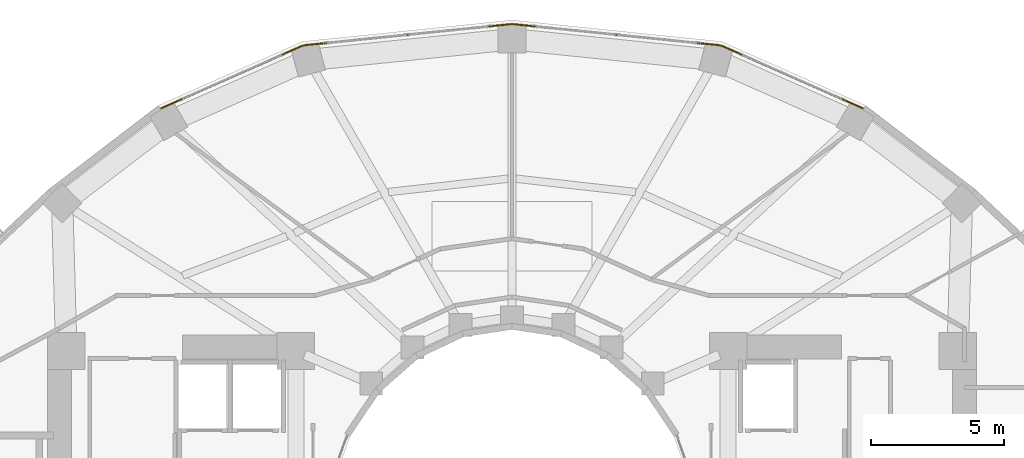
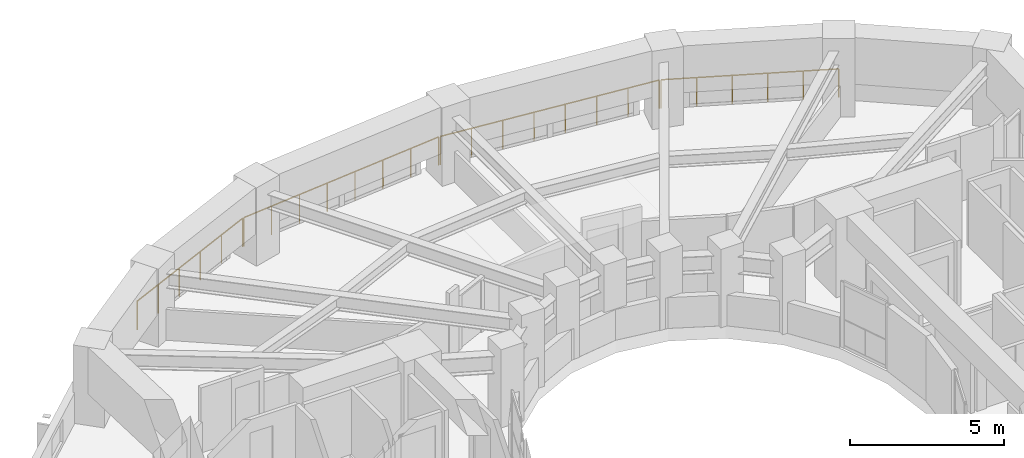
# One storey, part 19 of 19: 4 railings.
"""IFC4 building model written with IfcOpenShell, lengths in metres."""

from ifc_helpers import new_model, si_unit, direction, frame, origin, origin_2d, place, context, subcontext, project, spatial, circle, extrude, material, type_object, element, save


model = new_model("IFC4")

# Units and contexts
model_context = context("Model", 3, precision=1e-05, world=origin(), true_north=direction((0.0, 1.0)))
body_context = subcontext(model_context, "Body", "Model", "MODEL_VIEW")
ifc_project = project(units=[si_unit("LENGTHUNIT", "METRE"), si_unit("AREAUNIT", "SQUARE_METRE"), si_unit("VOLUMEUNIT", "CUBIC_METRE"), si_unit("PLANEANGLEUNIT", "RADIAN"), si_unit("MASSUNIT", "GRAM", prefix="KILO")], contexts=[model_context])

# Site, building, storey
site_placement = place(None, origin())
site = spatial("IfcSite", under=ifc_project, at=site_placement, CompositionType="ELEMENT")
building_placement = place(site_placement, origin())
building = spatial("IfcBuilding", under=site, at=building_placement, Name="Solvane Sanctuary Tower", CompositionType="ELEMENT")
storey_placement = place(building_placement, frame((0.0, 0.0, 73.199951171875)))
storey = spatial("IfcBuildingStorey", under=building, at=storey_placement, Name="L21", CompositionType="ELEMENT", Elevation=73.199951171875)

# Railings
ifc_material = material(Name="Architectural Stainless Steel 316", Category="steel")
railing_type = type_object("IfcRailingType", Name="Railing GR-BALC-1150", PredefinedType="BALUSTRADE", material=ifc_material)
railing_1_placement = place(storey_placement, frame((45.14599609375, 39.2900390625, 0.0)))
element("IfcRailing", 1, at=railing_1_placement, inside=storey, type_object=railing_type, Name="L21 Curtain-Wall Perimeter Sill Guard 04", PredefinedType="BALUSTRADE", context=body_context, shape_type="SweptSolid", body=[
    extrude(circle(Radius=0.02392578125, at=origin_2d()), frame((0.0, 0.0, 1.1259765625), z_axis=(-0.91433335621, 0.40496236087, 0.0), x_axis=(-0.40496236087, -0.91433335621, 0.0)), (0.0, 0.0, 1.0), 5.799072265625),
    extrude(circle(Radius=0.02099609375, at=origin_2d()), origin(), (0.0, 0.0, 1.0), 1.101806640625),
    extrude(circle(Radius=0.02099609375, at=origin_2d()), frame((-1.060546875, 0.4697265625, 0.0)), (0.0, 0.0, 1.0), 1.101806640625),
    extrude(circle(Radius=0.02099609375, at=origin_2d()), frame((-2.120849609375, 0.939453125, 0.0)), (0.0, 0.0, 1.0), 1.101806640625),
    extrude(circle(Radius=0.02099609375, at=origin_2d()), frame((-3.181396484375, 1.408935546875, 0.0)), (0.0, 0.0, 1.0), 1.101806640625),
    extrude(circle(Radius=0.02099609375, at=origin_2d()), frame((-4.24169921875, 1.878662109375, 0.0)), (0.0, 0.0, 1.0), 1.101806640625),
    extrude(circle(Radius=0.02099609375, at=origin_2d()), frame((-5.30224609375, 2.348388671875, 0.0)), (0.0, 0.0, 1.0), 1.101806640625),
])
railing_2_placement = place(storey_placement, frame((39.78662109375, 41.653564453125, 0.0)))
element("IfcRailing", 2, at=railing_2_placement, inside=storey, type_object=railing_type, Name="L21 Curtain-Wall Perimeter Sill Guard 05", PredefinedType="BALUSTRADE", context=body_context, shape_type="SweptSolid", body=[
    extrude(circle(Radius=0.02392578125, at=origin_2d()), frame((0.0, 0.0, 1.1259765625), z_axis=(-0.994818449264, 0.101667364496, 0.0), x_axis=(-0.101667364496, -0.994818449264, 0.0)), (0.0, 0.0, 1.0), 7.797119140625),
    extrude(circle(Radius=0.02099609375, at=origin_2d()), origin(), (0.0, 0.0, 1.0), 1.101806640625),
    extrude(circle(Radius=0.02099609375, at=origin_2d()), frame((-1.108154296875, 0.11328125, 0.0)), (0.0, 0.0, 1.0), 1.101806640625),
    extrude(circle(Radius=0.02099609375, at=origin_2d()), frame((-2.21630859375, 0.2265625, 0.0)), (0.0, 0.0, 1.0), 1.101806640625),
    extrude(circle(Radius=0.02099609375, at=origin_2d()), frame((-3.324462890625, 0.33984375, 0.0)), (0.0, 0.0, 1.0), 1.101806640625),
    extrude(circle(Radius=0.02099609375, at=origin_2d()), frame((-4.432373046875, 0.452880859375, 0.0)), (0.0, 0.0, 1.0), 1.101806640625),
    extrude(circle(Radius=0.02099609375, at=origin_2d()), frame((-5.54052734375, 0.566162109375, 0.0)), (0.0, 0.0, 1.0), 1.101806640625),
    extrude(circle(Radius=0.02099609375, at=origin_2d()), frame((-6.648681640625, 0.679443359375, 0.0)), (0.0, 0.0, 1.0), 1.101806640625),
    extrude(circle(Radius=0.02099609375, at=origin_2d()), frame((-7.7568359375, 0.792724609375, 0.0)), (0.0, 0.0, 1.0), 1.101806640625),
])
railing_3_placement = place(storey_placement, frame((31.97021484375, 42.4462890625, 0.0)))
element("IfcRailing", 3, at=railing_3_placement, inside=storey, type_object=railing_type, Name="L21 Curtain-Wall Perimeter Sill Guard 06", PredefinedType="BALUSTRADE", context=body_context, shape_type="SweptSolid", body=[
    extrude(circle(Radius=0.02392578125, at=origin_2d()), frame((0.0, 0.0, 1.1259765625), z_axis=(-0.994818449264, -0.101667364496, 0.0), x_axis=(0.101667364496, -0.994818449264, 0.0)), (0.0, 0.0, 1.0), 7.797119140625),
    extrude(circle(Radius=0.02099609375, at=origin_2d()), origin(), (0.0, 0.0, 1.0), 1.101806640625),
    extrude(circle(Radius=0.02099609375, at=origin_2d()), frame((-1.108154296875, -0.11328125, 0.0)), (0.0, 0.0, 1.0), 1.101806640625),
    extrude(circle(Radius=0.02099609375, at=origin_2d()), frame((-2.21630859375, -0.2265625, 0.0)), (0.0, 0.0, 1.0), 1.101806640625),
    extrude(circle(Radius=0.02099609375, at=origin_2d()), frame((-3.324462890625, -0.33984375, 0.0)), (0.0, 0.0, 1.0), 1.101806640625),
    extrude(circle(Radius=0.02099609375, at=origin_2d()), frame((-4.432373046875, -0.452880859375, 0.0)), (0.0, 0.0, 1.0), 1.101806640625),
    extrude(circle(Radius=0.02099609375, at=origin_2d()), frame((-5.54052734375, -0.566162109375, 0.0)), (0.0, 0.0, 1.0), 1.101806640625),
    extrude(circle(Radius=0.02099609375, at=origin_2d()), frame((-6.648681640625, -0.679443359375, 0.0)), (0.0, 0.0, 1.0), 1.101806640625),
    extrude(circle(Radius=0.02099609375, at=origin_2d()), frame((-7.7568359375, -0.792724609375, 0.0)), (0.0, 0.0, 1.0), 1.101806640625),
])
railing_4_placement = place(storey_placement, frame((24.15625, 41.638427734375, 0.0)))
element("IfcRailing", 4, at=railing_4_placement, inside=storey, type_object=railing_type, Name="L21 Curtain-Wall Perimeter Sill Guard 07", PredefinedType="BALUSTRADE", context=body_context, shape_type="SweptSolid", body=[
    extrude(circle(Radius=0.02392578125, at=origin_2d()), frame((0.0, 0.0, 1.1259765625), z_axis=(-0.91433335621, -0.40496236087, 0.0), x_axis=(0.40496236087, -0.91433335621, 0.0)), (0.0, 0.0, 1.0), 5.799072265625),
    extrude(circle(Radius=0.02099609375, at=origin_2d()), origin(), (0.0, 0.0, 1.0), 1.101806640625),
    extrude(circle(Radius=0.02099609375, at=origin_2d()), frame((-1.060546875, -0.4697265625, 0.0)), (0.0, 0.0, 1.0), 1.101806640625),
    extrude(circle(Radius=0.02099609375, at=origin_2d()), frame((-2.120849609375, -0.939453125, 0.0)), (0.0, 0.0, 1.0), 1.101806640625),
    extrude(circle(Radius=0.02099609375, at=origin_2d()), frame((-3.181396484375, -1.408935546875, 0.0)), (0.0, 0.0, 1.0), 1.101806640625),
    extrude(circle(Radius=0.02099609375, at=origin_2d()), frame((-4.24169921875, -1.878662109375, 0.0)), (0.0, 0.0, 1.0), 1.101806640625),
    extrude(circle(Radius=0.02099609375, at=origin_2d()), frame((-5.30224609375, -2.348388671875, 0.0)), (0.0, 0.0, 1.0), 1.101806640625),
])

save(model, "model.ifc")
